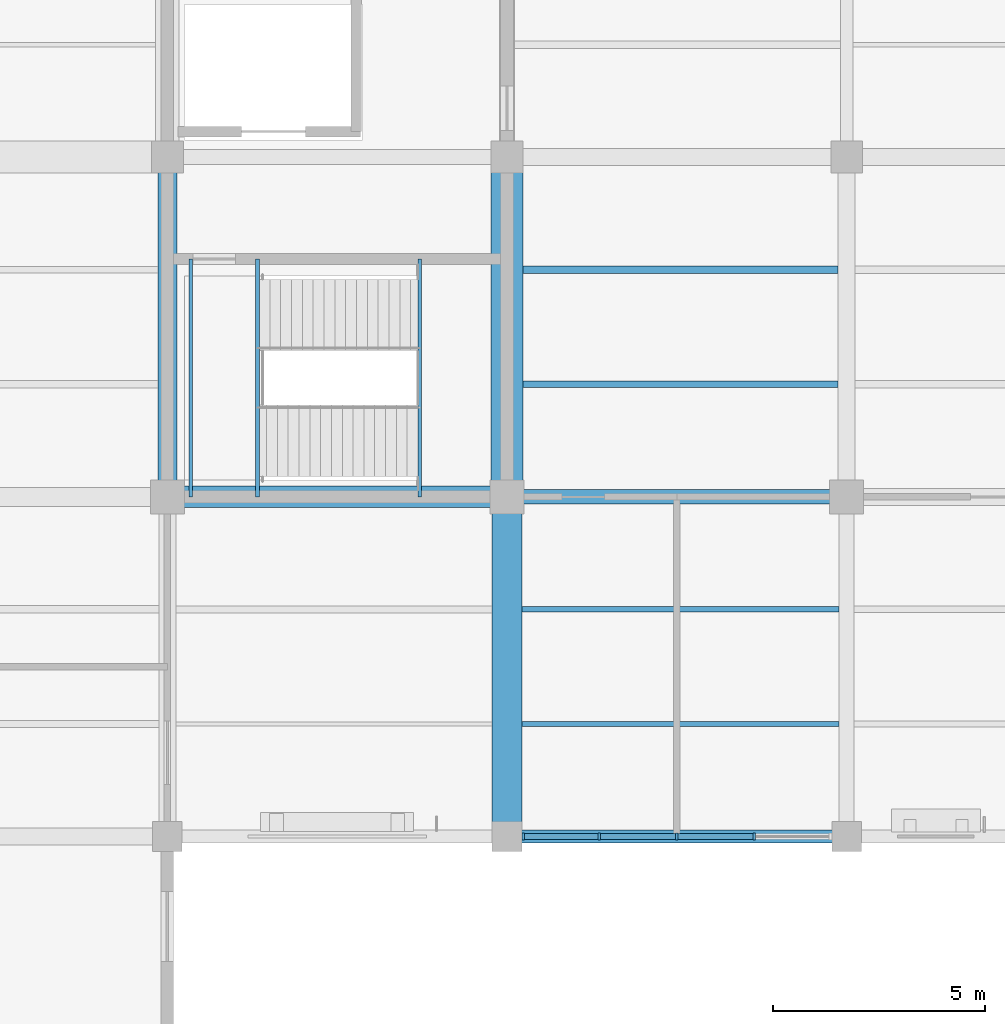
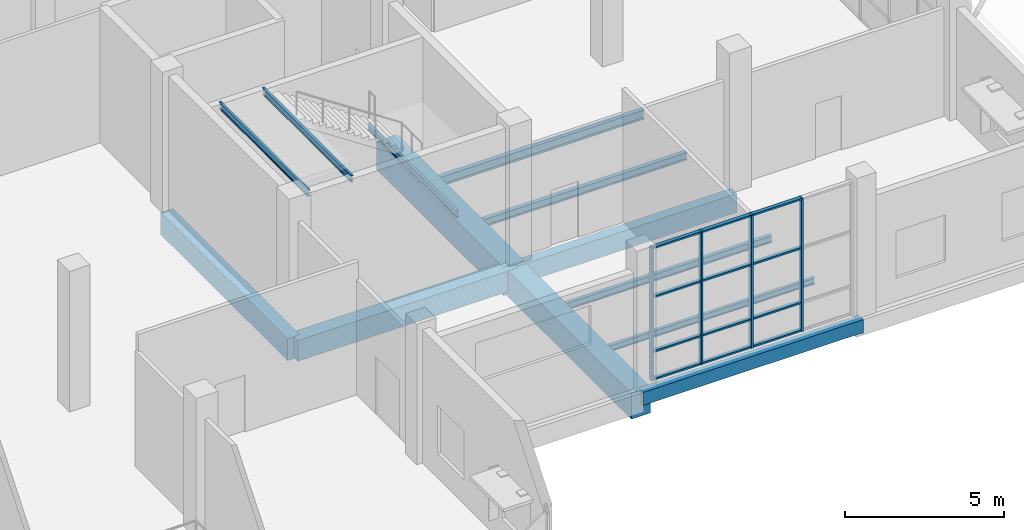
# One storey, part 35 of 122: 16 members, 13 beams, 1 element without a shape of its own.
"""IFC4 building model written with IfcOpenShell, lengths in metres."""

from ifc_helpers import new_model, si_unit, direction, frame, origin, origin_2d, place, context, subcontext, project, spatial, rectangle, i_section, extrude, material, material_profile, profile_set, type_object, element, aggregate, save


model = new_model("IFC4")

# Units and contexts
model_context = context("Model", 3, precision=1e-05, world=origin(), true_north=direction((0.0, 1.0)))
body_context = subcontext(model_context, "Body", "Model", "MODEL_VIEW")
ifc_project = project(units=[si_unit("LENGTHUNIT", "METRE"), si_unit("AREAUNIT", "SQUARE_METRE"), si_unit("VOLUMEUNIT", "CUBIC_METRE"), si_unit("PLANEANGLEUNIT", "RADIAN"), si_unit("MASSUNIT", "GRAM", prefix="KILO")], contexts=[model_context])

# Site, building, storey
site_placement = place(None, origin())
site = spatial("IfcSite", under=ifc_project, at=site_placement, CompositionType="ELEMENT")
building_placement = place(site_placement, origin())
building = spatial("IfcBuilding", under=site, at=building_placement, Name="Tenunan Teduh Sports Hall", CompositionType="ELEMENT")
storey_placement = place(building_placement, frame((0.0, 0.0, 5.39990234375)))
storey = spatial("IfcBuildingStorey", under=building, at=storey_placement, Name="L01", CompositionType="ELEMENT", Elevation=5.39990234375)

# Beams
ifc_material_1 = material(Name="Concrete C40/50", Category="concrete")
ifc_material_profile_1 = material_profile(ifc_material_1, rectangle(XDim=0.300048828125, YDim=0.5, at=origin_2d()), Name="RCB 300x500")
ifc_profile_set_1 = profile_set([ifc_material_profile_1], Name="Concrete C40/50")
beam_type_1 = type_object("IfcBeamType", Name="BM-RC-300x500", PredefinedType="BEAM", material=ifc_profile_set_1)
beam_1_placement = place(storey_placement, frame((62.0, 86.0, -0.510009765625), z_axis=(1.0, 0.0, 0.0), x_axis=(0.0, 1.0, 0.0)))
element("IfcBeam", 1, at=beam_1_placement, inside=storey, type_object=beam_type_1, Name="BM-B-01-L01-1112", PredefinedType="BEAM", context=body_context, shape_type="SweptSolid", body=[
    extrude(rectangle(XDim=0.300048828125, YDim=0.5, at=origin_2d()), origin(), (0.0, 0.0, 1.0), 8.0),
])
ifc_material_2 = material(Name="Concrete C40/50", Category="concrete")
ifc_material_profile_2 = material_profile(ifc_material_2, rectangle(XDim=0.449951171875, YDim=0.85009765625, at=origin_2d()), Name="RCB 450x850")
ifc_profile_set_2 = profile_set([ifc_material_profile_2], Name="Concrete C40/50")
beam_type_2 = type_object("IfcBeamType", Name="BM-RC-450x850", PredefinedType="BEAM", material=ifc_profile_set_2)
beam_2_placement = place(storey_placement, frame((54.0, 94.0, -0.684814453125), z_axis=(0.0, 1.0, 0.0), x_axis=(-1.0, 0.0, 0.0)))
element("IfcBeam", 2, at=beam_2_placement, inside=storey, type_object=beam_type_2, Name="BM-B-13-L01-1223", PredefinedType="BEAM", context=body_context, shape_type="SweptSolid", body=[
    extrude(rectangle(XDim=0.449951171875, YDim=0.85009765625, at=origin_2d()), origin(), (0.0, 0.0, 1.0), 8.0),
])
ifc_material_3 = material(Name="Concrete C40/50", Category="concrete")
ifc_material_profile_3 = material_profile(ifc_material_3, rectangle(XDim=0.5, YDim=0.800048828125, at=origin_2d()), Name="RCB 500x800")
ifc_profile_set_3 = profile_set([ifc_material_profile_3], Name="Concrete C40/50")
beam_type_3 = type_object("IfcBeamType", Name="BM-RC-500x800", PredefinedType="BEAM", material=ifc_profile_set_3)
beam_3_placement = place(storey_placement, frame((54.0, 94.0, -0.659912109375), z_axis=(1.0, 0.0, 0.0), x_axis=(0.0, 1.0, 0.0)))
element("IfcBeam", 3, at=beam_3_placement, inside=storey, type_object=beam_type_3, Name="BM-B-14-L01-1127", PredefinedType="BEAM", context=body_context, shape_type="SweptSolid", body=[
    extrude(rectangle(XDim=0.5, YDim=0.800048828125, at=origin_2d()), origin(), (0.0, 0.0, 1.0), 8.0),
])
ifc_material_4 = material(Name="Concrete C40/50", Category="concrete")
ifc_material_profile_4 = material_profile(ifc_material_4, rectangle(XDim=0.699951171875, YDim=1.0, at=origin_2d()), Name="RCB 700x1000")
ifc_profile_set_4 = profile_set([ifc_material_profile_4], Name="Concrete C40/50")
beam_type_4 = type_object("IfcBeamType", Name="BM-RC-700x1000", PredefinedType="SPANDREL", material=ifc_profile_set_4)
beam_4_placement = place(storey_placement, frame((62.0, 86.0, -0.760009765625), z_axis=(0.0, 1.0, 0.0), x_axis=(-1.0, 0.0, 0.0)))
element("IfcBeam", 4, at=beam_4_placement, inside=storey, type_object=beam_type_4, Name="BM-B-19-L01-1227", PredefinedType="SPANDREL", context=body_context, shape_type="SweptSolid", body=[
    extrude(rectangle(XDim=0.699951171875, YDim=1.0, at=origin_2d()), origin(), (0.0, 0.0, 1.0), 8.0),
])
ifc_material_5 = material(Name="Concrete C40/50", Category="concrete")
ifc_material_profile_5 = material_profile(ifc_material_5, rectangle(XDim=0.75, YDim=1.10009765625, at=origin_2d()), Name="RCB 750x1100")
ifc_profile_set_5 = profile_set([ifc_material_profile_5], Name="Concrete C40/50")
beam_type_5 = type_object("IfcBeamType", Name="BM-RC-750x1100", PredefinedType="SPANDREL", material=ifc_profile_set_5)
beam_5_placement = place(storey_placement, frame((62.0, 94.0, -0.809814453125), z_axis=(0.0, 1.0, 0.0), x_axis=(-1.0, 0.0, 0.0)))
element("IfcBeam", 5, at=beam_5_placement, inside=storey, type_object=beam_type_5, Name="BM-B-20-L01-1228", PredefinedType="SPANDREL", context=body_context, shape_type="SweptSolid", body=[
    extrude(rectangle(XDim=0.75, YDim=1.10009765625, at=origin_2d()), origin(), (0.0, 0.0, 1.0), 8.0),
])
ifc_material_6 = material(Name="Concrete C40/50", Category="concrete")
ifc_material_profile_6 = material_profile(ifc_material_6, rectangle(XDim=0.35009765625, YDim=0.719970703125, at=origin_2d()), Name="TB 350x720")
ifc_profile_set_6 = profile_set([ifc_material_profile_6], Name="Concrete C40/50")
beam_type_6 = type_object("IfcBeamType", Name="BM-TB-350x720", PredefinedType="T_BEAM", material=ifc_profile_set_6)
beam_6_placement = place(storey_placement, frame((62.0, 94.0, -0.619873046875), z_axis=(1.0, 0.0, 0.0), x_axis=(0.0, 1.0, 0.0)))
element("IfcBeam", 6, at=beam_6_placement, inside=storey, type_object=beam_type_6, Name="BM-TB-01-L01-1128", PredefinedType="T_BEAM", context=body_context, shape_type="SweptSolid", body=[
    extrude(rectangle(XDim=0.35009765625, YDim=0.719970703125, at=origin_2d()), origin(), (0.0, 0.0, 1.0), 8.0),
])

# Curtain wall, members
ifc_material_7 = material(Name="Anodised aluminium", Category="aluminium")
curtain_wall_type = type_object("IfcCurtainWallType", Name="CW-UNIT-1", PredefinedType="NOTDEFINED", material=ifc_material_7)
curtain_wall_placement = place(storey_placement, origin())
curtain_wall = element("IfcCurtainWall", 7, at=curtain_wall_placement, inside=storey, type_object=curtain_wall_type, Name="CW-CWM-175-L01-202", PredefinedType="NOTDEFINED")
ifc_material_8 = material(Name="Anodised aluminium", Category="aluminium")
ifc_material_profile_7 = material_profile(ifc_material_8, rectangle(XDim=0.06494140625, YDim=0.175048828125, at=origin_2d()), Name="CWM 65x175")
ifc_profile_set_7 = profile_set([ifc_material_profile_7], Name="Anodised aluminium")
member_type_1 = type_object("IfcMemberType", Name="CWM-175", PredefinedType="MULLION", material=ifc_profile_set_7)
member_1_placement = place(storey_placement, frame((62.382568359375, 86.0, 0.0), z_axis=(0.0, 0.0, 1.0), x_axis=(1.0, 0.0, 0.0)))
member_1 = element("IfcMember", 8, at=member_1_placement, type_object=member_type_1, Name="CW-01 mullion 1", PredefinedType="MULLION", context=body_context, shape_type="SweptSolid", body=[
    extrude(rectangle(XDim=0.06494140625, YDim=0.175048828125, at=origin_2d()), origin(), (0.0, 0.0, 1.0), 5.1201171875),
])
member_2_placement = place(storey_placement, frame((64.175048828125, 86.0, 0.0), z_axis=(0.0, 0.0, 1.0), x_axis=(1.0, 0.0, 0.0)))
member_2 = element("IfcMember", 9, at=member_2_placement, type_object=member_type_1, Name="CW-01 mullion 2", PredefinedType="MULLION", context=body_context, shape_type="SweptSolid", body=[
    extrude(rectangle(XDim=0.06494140625, YDim=0.175048828125, at=origin_2d()), origin(), (0.0, 0.0, 1.0), 5.1201171875),
])
member_3_placement = place(storey_placement, frame((66.0, 86.0, 0.0), z_axis=(0.0, 0.0, 1.0), x_axis=(1.0, 0.0, 0.0)))
member_3 = element("IfcMember", 10, at=member_3_placement, type_object=member_type_1, Name="CW-01 mullion 3", PredefinedType="MULLION", context=body_context, shape_type="SweptSolid", body=[
    extrude(rectangle(XDim=0.06494140625, YDim=0.175048828125, at=origin_2d()), origin(), (0.0, 0.0, 1.0), 5.1201171875),
])
member_4_placement = place(storey_placement, frame((67.824951171875, 86.0, 0.0), z_axis=(0.0, 0.0, 1.0), x_axis=(1.0, 0.0, 0.0)))
member_4 = element("IfcMember", 11, at=member_4_placement, type_object=member_type_1, Name="CW-01 mullion 4", PredefinedType="MULLION", context=body_context, shape_type="SweptSolid", body=[
    extrude(rectangle(XDim=0.06494140625, YDim=0.175048828125, at=origin_2d()), origin(), (0.0, 0.0, 1.0), 5.1201171875),
])
ifc_material_9 = material(Name="Anodised aluminium", Category="aluminium")
ifc_material_profile_8 = material_profile(ifc_material_9, rectangle(XDim=0.06494140625, YDim=0.139892578125, at=origin_2d()), Name="CWT 65x140")
ifc_profile_set_8 = profile_set([ifc_material_profile_8], Name="Anodised aluminium")
member_type_2 = type_object("IfcMemberType", Name="CWT-150", PredefinedType="USERDEFINED", material=ifc_profile_set_8)
member_5_placement = place(storey_placement, frame((62.4150390625, 86.0, 0.03271484375), z_axis=(1.0, 0.0, 0.0), x_axis=(0.0, 0.0, 1.0)))
member_5 = element("IfcMember", 12, at=member_5_placement, type_object=member_type_2, Name="CW-01 transom 1.1", ObjectType="TRANSOM", PredefinedType="USERDEFINED", context=body_context, shape_type="SweptSolid", body=[
    extrude(rectangle(XDim=0.06494140625, YDim=0.139892578125, at=origin_2d()), origin(), (0.0, 0.0, 1.0), 1.7275390625),
])
member_6_placement = place(storey_placement, frame((62.4150390625, 86.0, 1.10009765625), z_axis=(1.0, 0.0, 0.0), x_axis=(0.0, 0.0, 1.0)))
member_6 = element("IfcMember", 13, at=member_6_placement, type_object=member_type_2, Name="CW-01 transom 1.2", ObjectType="TRANSOM", PredefinedType="USERDEFINED", context=body_context, shape_type="SweptSolid", body=[
    extrude(rectangle(XDim=0.06494140625, YDim=0.139892578125, at=origin_2d()), origin(), (0.0, 0.0, 1.0), 1.7275390625),
])
member_7_placement = place(storey_placement, frame((62.4150390625, 86.0, 3.2001953125), z_axis=(1.0, 0.0, 0.0), x_axis=(0.0, 0.0, 1.0)))
member_7 = element("IfcMember", 14, at=member_7_placement, type_object=member_type_2, Name="CW-01 transom 1.3", ObjectType="TRANSOM", PredefinedType="USERDEFINED", context=body_context, shape_type="SweptSolid", body=[
    extrude(rectangle(XDim=0.06494140625, YDim=0.139892578125, at=origin_2d()), origin(), (0.0, 0.0, 1.0), 1.7275390625),
])
member_8_placement = place(storey_placement, frame((62.4150390625, 86.0, 5.087646484375), z_axis=(1.0, 0.0, 0.0), x_axis=(0.0, 0.0, 1.0)))
member_8 = element("IfcMember", 15, at=member_8_placement, type_object=member_type_2, Name="CW-01 transom 1.4", ObjectType="TRANSOM", PredefinedType="USERDEFINED", context=body_context, shape_type="SweptSolid", body=[
    extrude(rectangle(XDim=0.06494140625, YDim=0.139892578125, at=origin_2d()), origin(), (0.0, 0.0, 1.0), 1.7275390625),
])
member_9_placement = place(storey_placement, frame((64.20751953125, 86.0, 0.03271484375), z_axis=(1.0, 0.0, 0.0), x_axis=(0.0, 0.0, 1.0)))
member_9 = element("IfcMember", 16, at=member_9_placement, type_object=member_type_2, Name="CW-01 transom 2.1", ObjectType="TRANSOM", PredefinedType="USERDEFINED", context=body_context, shape_type="SweptSolid", body=[
    extrude(rectangle(XDim=0.06494140625, YDim=0.139892578125, at=origin_2d()), origin(), (0.0, 0.0, 1.0), 1.760009765625),
])
member_10_placement = place(storey_placement, frame((64.20751953125, 86.0, 1.10009765625), z_axis=(1.0, 0.0, 0.0), x_axis=(0.0, 0.0, 1.0)))
member_10 = element("IfcMember", 17, at=member_10_placement, type_object=member_type_2, Name="CW-01 transom 2.2", ObjectType="TRANSOM", PredefinedType="USERDEFINED", context=body_context, shape_type="SweptSolid", body=[
    extrude(rectangle(XDim=0.06494140625, YDim=0.139892578125, at=origin_2d()), origin(), (0.0, 0.0, 1.0), 1.760009765625),
])
member_11_placement = place(storey_placement, frame((64.20751953125, 86.0, 3.2001953125), z_axis=(1.0, 0.0, 0.0), x_axis=(0.0, 0.0, 1.0)))
member_11 = element("IfcMember", 18, at=member_11_placement, type_object=member_type_2, Name="CW-01 transom 2.3", ObjectType="TRANSOM", PredefinedType="USERDEFINED", context=body_context, shape_type="SweptSolid", body=[
    extrude(rectangle(XDim=0.06494140625, YDim=0.139892578125, at=origin_2d()), origin(), (0.0, 0.0, 1.0), 1.760009765625),
])
member_12_placement = place(storey_placement, frame((64.20751953125, 86.0, 5.087646484375), z_axis=(1.0, 0.0, 0.0), x_axis=(0.0, 0.0, 1.0)))
member_12 = element("IfcMember", 19, at=member_12_placement, type_object=member_type_2, Name="CW-01 transom 2.4", ObjectType="TRANSOM", PredefinedType="USERDEFINED", context=body_context, shape_type="SweptSolid", body=[
    extrude(rectangle(XDim=0.06494140625, YDim=0.139892578125, at=origin_2d()), origin(), (0.0, 0.0, 1.0), 1.760009765625),
])
member_13_placement = place(storey_placement, frame((66.032470703125, 86.0, 0.03271484375), z_axis=(1.0, 0.0, 0.0), x_axis=(0.0, 0.0, 1.0)))
member_13 = element("IfcMember", 20, at=member_13_placement, type_object=member_type_2, Name="CW-01 transom 3.1", ObjectType="TRANSOM", PredefinedType="USERDEFINED", context=body_context, shape_type="SweptSolid", body=[
    extrude(rectangle(XDim=0.06494140625, YDim=0.139892578125, at=origin_2d()), origin(), (0.0, 0.0, 1.0), 1.760009765625),
])
member_14_placement = place(storey_placement, frame((66.032470703125, 86.0, 1.10009765625), z_axis=(1.0, 0.0, 0.0), x_axis=(0.0, 0.0, 1.0)))
member_14 = element("IfcMember", 21, at=member_14_placement, type_object=member_type_2, Name="CW-01 transom 3.2", ObjectType="TRANSOM", PredefinedType="USERDEFINED", context=body_context, shape_type="SweptSolid", body=[
    extrude(rectangle(XDim=0.06494140625, YDim=0.139892578125, at=origin_2d()), origin(), (0.0, 0.0, 1.0), 1.760009765625),
])
member_15_placement = place(storey_placement, frame((66.032470703125, 86.0, 3.2001953125), z_axis=(1.0, 0.0, 0.0), x_axis=(0.0, 0.0, 1.0)))
member_15 = element("IfcMember", 22, at=member_15_placement, type_object=member_type_2, Name="CW-01 transom 3.3", ObjectType="TRANSOM", PredefinedType="USERDEFINED", context=body_context, shape_type="SweptSolid", body=[
    extrude(rectangle(XDim=0.06494140625, YDim=0.139892578125, at=origin_2d()), origin(), (0.0, 0.0, 1.0), 1.760009765625),
])
member_16_placement = place(storey_placement, frame((66.032470703125, 86.0, 5.087646484375), z_axis=(1.0, 0.0, 0.0), x_axis=(0.0, 0.0, 1.0)))
member_16 = element("IfcMember", 23, at=member_16_placement, type_object=member_type_2, Name="CW-01 transom 3.4", ObjectType="TRANSOM", PredefinedType="USERDEFINED", context=body_context, shape_type="SweptSolid", body=[
    extrude(rectangle(XDim=0.06494140625, YDim=0.139892578125, at=origin_2d()), origin(), (0.0, 0.0, 1.0), 1.760009765625),
])
aggregate(curtain_wall, [member_1, member_2, member_3, member_4, member_5, member_6, member_7, member_8, member_9, member_10, member_11, member_12, member_13, member_14, member_15, member_16])

# Beams
ifc_material_10 = material(Name="Steel S355", Category="steel")
ifc_material_profile_9 = material_profile(ifc_material_10, i_section(OverallWidth=0.1201171875, OverallDepth=0.239990234375, WebThickness=0.006103515625, FlangeThickness=0.009765625, FilletRadius=0.014892578125, at=origin_2d()), Name="IPE 240")
ifc_profile_set_9 = profile_set([ifc_material_profile_9], Name="Steel S355")
beam_type_7 = type_object("IfcBeamType", Name="JST-IPE240", PredefinedType="JOIST", material=ifc_profile_set_9)
beam_7_placement = place(storey_placement, frame((62.35009765625, 88.64990234375, -0.3798828125), z_axis=(1.0, 0.0, 0.0), x_axis=(0.0, 1.0, 0.0)))
element("IfcBeam", 24, at=beam_7_placement, inside=storey, type_object=beam_type_7, Name="BM-J-02-L01-1364", PredefinedType="JOIST", context=body_context, shape_type="SweptSolid", body=[
    extrude(i_section(OverallWidth=0.1201171875, OverallDepth=0.239990234375, WebThickness=0.006103515625, FlangeThickness=0.009765625, FilletRadius=0.014892578125, at=origin_2d()), origin(), (0.0, 0.0, 1.0), 7.474853515625),
])
ifc_material_11 = material(Name="Steel S355", Category="steel")
ifc_material_profile_10 = material_profile(ifc_material_11, i_section(OverallWidth=0.135009765625, OverallDepth=0.27001953125, WebThickness=0.006591796875, FlangeThickness=0.01025390625, FilletRadius=0.014892578125, at=origin_2d()), Name="IPE 270")
ifc_profile_set_10 = profile_set([ifc_material_profile_10], Name="Steel S355")
beam_type_8 = type_object("IfcBeamType", Name="JST-IPE270", PredefinedType="JOIST", material=ifc_profile_set_10)
beam_8_placement = place(storey_placement, frame((62.35009765625, 91.35009765625, -0.39501953125), z_axis=(1.0, 0.0, 0.0), x_axis=(0.0, 1.0, 0.0)))
element("IfcBeam", 25, at=beam_8_placement, inside=storey, type_object=beam_type_8, Name="BM-J-03-L01-1365", PredefinedType="JOIST", context=body_context, shape_type="SweptSolid", body=[
    extrude(i_section(OverallWidth=0.135009765625, OverallDepth=0.27001953125, WebThickness=0.006591796875, FlangeThickness=0.01025390625, FilletRadius=0.014892578125, at=origin_2d()), origin(), (0.0, 0.0, 1.0), 7.474853515625),
])
ifc_material_12 = material(Name="Steel S355", Category="steel")
ifc_material_profile_11 = material_profile(ifc_material_12, i_section(OverallWidth=0.14990234375, OverallDepth=0.300048828125, WebThickness=0.007080078125, FlangeThickness=0.0107421875, FilletRadius=0.014892578125, at=origin_2d()), Name="IPE 300")
ifc_profile_set_11 = profile_set([ifc_material_profile_11], Name="Steel S355")
beam_type_9 = type_object("IfcBeamType", Name="JST-IPE300", PredefinedType="JOIST", material=ifc_profile_set_11)
beam_9_placement = place(storey_placement, frame((62.375, 96.64990234375, -0.409912109375), z_axis=(1.0, 0.0, 0.0), x_axis=(0.0, 1.0, 0.0)))
element("IfcBeam", 26, at=beam_9_placement, inside=storey, type_object=beam_type_9, Name="BM-J-04-L01-1366", PredefinedType="JOIST", context=body_context, shape_type="SweptSolid", body=[
    extrude(i_section(OverallWidth=0.14990234375, OverallDepth=0.300048828125, WebThickness=0.007080078125, FlangeThickness=0.0107421875, FilletRadius=0.014892578125, at=origin_2d()), origin(), (0.0, 0.0, 1.0), 7.425048828125),
])
ifc_material_13 = material(Name="Steel S355", Category="steel")
ifc_material_profile_12 = material_profile(ifc_material_13, i_section(OverallWidth=0.169921875, OverallDepth=0.360107421875, WebThickness=0.008056640625, FlangeThickness=0.0126953125, FilletRadius=0.01806640625, at=origin_2d()), Name="IPE 360")
ifc_profile_set_12 = profile_set([ifc_material_profile_12], Name="Steel S355")
beam_type_10 = type_object("IfcBeamType", Name="JST-IPE360", PredefinedType="JOIST", material=ifc_profile_set_12)
beam_10_placement = place(storey_placement, frame((62.375, 99.35009765625, -0.43994140625), z_axis=(1.0, 0.0, 0.0), x_axis=(0.0, 1.0, 0.0)))
element("IfcBeam", 27, at=beam_10_placement, inside=storey, type_object=beam_type_10, Name="BM-J-05-L01-1367", PredefinedType="JOIST", context=body_context, shape_type="SweptSolid", body=[
    extrude(i_section(OverallWidth=0.169921875, OverallDepth=0.360107421875, WebThickness=0.008056640625, FlangeThickness=0.0126953125, FilletRadius=0.01806640625, at=origin_2d()), origin(), (0.0, 0.0, 1.0), 7.425048828125),
])
ifc_material_14 = material(Name="Steel S355", Category="steel")
ifc_material_profile_13 = material_profile(ifc_material_14, i_section(OverallWidth=0.090087890625, OverallDepth=0.260009765625, WebThickness=0.008056640625, FlangeThickness=0.013916015625, FilletRadius=0.011962890625, at=origin_2d()), Name="PFC 260x90")
ifc_profile_set_13 = profile_set([ifc_material_profile_13], Name="Steel S355")
beam_type_11 = type_object("IfcBeamType", Name="STR-BM-TRIM", PredefinedType="BEAM", material=ifc_profile_set_13)
for number, where, z_axis, x_axis, name in (
    (28, (59.945068359375, 94.0, 2.3701171875), (0.0, 1.0, 0.0), (-1.0, 0.0, 0.0), "BM-SS-02-W3-L01-M"),
    (29, (56.1201171875, 94.0, 5.070068359375), (0.0, 1.0, 0.0), (-1.0, 0.0, 0.0), "BM-SS-02-W3-L01-T"),
    (30, (54.550048828125, 94.0, 5.070068359375), (0.0, 1.0, 0.0), (-1.0, 0.0, 0.0), "BM-SS-02-W3-L01-TW"),
):
    element("IfcBeam", number, at=place(storey_placement, frame(where, z_axis=z_axis, x_axis=x_axis)), inside=storey, type_object=beam_type_11, Name=name, PredefinedType="BEAM", context=body_context, shape_type="SweptSolid", body=[
        extrude(i_section(OverallWidth=0.090087890625, OverallDepth=0.260009765625, WebThickness=0.008056640625, FlangeThickness=0.013916015625, FilletRadius=0.011962890625, at=origin_2d()), origin(), (0.0, 0.0, 1.0), 5.60009765625),
    ])

save(model, "model.ifc")
